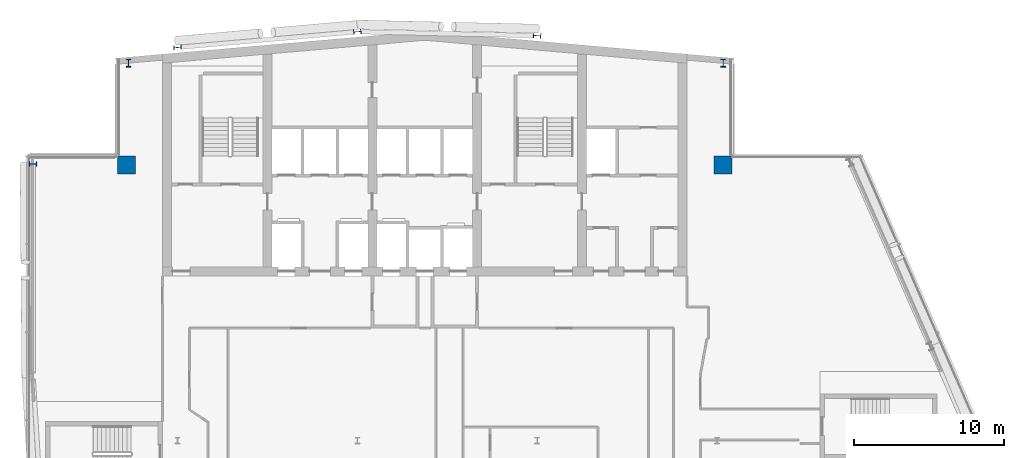
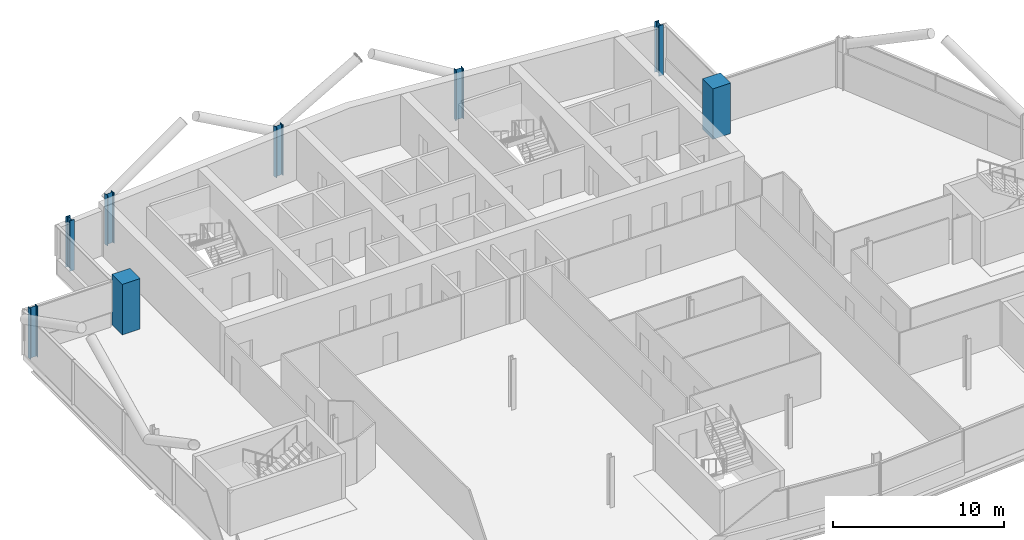
# One storey, part 3 of 25: 8 columns.
"""IFC4 building model written with IfcOpenShell, lengths in metres."""

from ifc_helpers import new_model, si_unit, direction, frame, origin, origin_2d, place, context, subcontext, project, spatial, rectangle, i_section, extrude, material, material_profile, profile_set, type_object, element, save


model = new_model("IFC4")

# Units and contexts
model_context = context("Model", 3, precision=1e-05, world=origin(), true_north=direction((0.0, 1.0)))
body_context = subcontext(model_context, "Body", "Model", "MODEL_VIEW")
ifc_project = project(units=[si_unit("LENGTHUNIT", "METRE"), si_unit("AREAUNIT", "SQUARE_METRE"), si_unit("VOLUMEUNIT", "CUBIC_METRE"), si_unit("PLANEANGLEUNIT", "RADIAN"), si_unit("MASSUNIT", "GRAM", prefix="KILO")], contexts=[model_context])

# Site, building, storey
site_placement = place(None, origin())
site = spatial("IfcSite", under=ifc_project, at=site_placement, CompositionType="ELEMENT")
building_placement = place(site_placement, origin())
building = spatial("IfcBuilding", under=site, at=building_placement, Name="Wharfspan Tower", CompositionType="ELEMENT")
storey_placement = place(building_placement, frame((0.0, 0.0, 232.300049)))
storey = spatial("IfcBuildingStorey", under=building, at=storey_placement, Name="L58", CompositionType="ELEMENT", Elevation=232.300049)

# Columns
ifc_material_1 = material(Name="Steel S355J2", Category="steel")
ifc_material_profile_1 = material_profile(ifc_material_1, i_section(OverallWidth=0.300049, OverallDepth=0.5, WebThickness=0.014404, FlangeThickness=0.028076, FilletRadius=0.0271, at=origin_2d()))
ifc_profile_set_1 = profile_set([ifc_material_profile_1], Name="Steel S355J2")
column_type_1 = type_object("IfcColumnType", Name="Column HEB 500", PredefinedType="COLUMN", material=ifc_profile_set_1)
for number, where, z_axis, x_axis, name in (
    (1, (24.0, 49.234863, 0.0), (0.0, 0.0, 1.0), (-0.087156, 0.996197, 0.0), "Rear column R.1 L58"),
    (2, (36.0, 50.284668, 0.0), (0.0, 0.0, 1.0), (-0.087156, 0.996197, 0.0), "Rear column R.2 L58"),
    (3, (48.0, 50.022217, 0.0), (0.0, 0.0, 1.0), (0.087156, 0.996197, 0.0), "Rear column R.3 L58"),
):
    element("IfcColumn", number, at=place(storey_placement, frame(where, z_axis=z_axis, x_axis=x_axis)), inside=storey, type_object=column_type_1, Name=name, PredefinedType="COLUMN", context=body_context, shape_type="SweptSolid", body=[
        extrude(i_section(OverallWidth=0.300049, OverallDepth=0.5, WebThickness=0.014404, FlangeThickness=0.028076, FilletRadius=0.0271, at=origin_2d()), origin(), (0.0, 0.0, 1.0), 3.599854),
    ])
ifc_material_profile_2 = material_profile(ifc_material_1, i_section(OverallWidth=0.305908, OverallDepth=0.523926, WebThickness=0.020996, FlangeThickness=0.040039, FilletRadius=0.0271, at=origin_2d()))
ifc_profile_set_2 = profile_set([ifc_material_profile_2], Name="Steel S355J2")
column_type_2 = type_object("IfcColumnType", Name="Column HEM 500", PredefinedType="COLUMN", material=ifc_profile_set_2)
for number, where, z_axis, x_axis, name in (
    (4, (60.422119, 48.189453, 0.0), (0.0, 0.0, 1.0), (1.0, 0.0, 0.0), "Perimeter column PNRE-V.1 L58"),
    (5, (20.731201, 48.189941, 0.0), (0.0, 0.0, 1.0), (-1.0, 0.0, 0.0), "Perimeter column PNRW-V.1 L58"),
    (6, (14.356934, 41.459717, 0.0), (0.0, 0.0, 1.0), (0.0, 1.0, 0.0), "Perimeter column PNRW-H.1 L58"),
):
    element("IfcColumn", number, at=place(storey_placement, frame(where, z_axis=z_axis, x_axis=x_axis)), inside=storey, type_object=column_type_2, Name=name, PredefinedType="COLUMN", context=body_context, shape_type="SweptSolid", body=[
        extrude(i_section(OverallWidth=0.305908, OverallDepth=0.523926, WebThickness=0.020996, FlangeThickness=0.040039, FilletRadius=0.0271, at=origin_2d()), origin(), (0.0, 0.0, 1.0), 3.599854),
    ])
ifc_material_2 = material(Name="Concrete C50/60", Category="concrete")
ifc_material_profile_3 = material_profile(ifc_material_2, rectangle(XDim=1.199951, YDim=1.199951, at=origin_2d()))
ifc_profile_set_3 = profile_set([ifc_material_profile_3], Name="Concrete C50/60")
column_type_3 = type_object("IfcColumnType", Name="Mega column 1200 C50/60", PredefinedType="COLUMN", material=ifc_profile_set_3)
for number, where, z_axis, x_axis, name in (
    (7, (20.600098, 41.399902, 0.0), (0.0, 0.0, 1.0), (1.0, 0.0, 0.0), "Mega column MC2 L58"),
    (8, (60.399902, 41.399902, 0.0), (0.0, 0.0, 1.0), (1.0, 0.0, 0.0), "Mega column MC3 L58"),
):
    element("IfcColumn", number, at=place(storey_placement, frame(where, z_axis=z_axis, x_axis=x_axis)), inside=storey, type_object=column_type_3, Name=name, PredefinedType="COLUMN", context=body_context, shape_type="SweptSolid", body=[
        extrude(rectangle(XDim=1.199951, YDim=1.199951, at=origin_2d()), origin(), (0.0, 0.0, 1.0), 3.599854),
    ])

save(model, "model.ifc")
